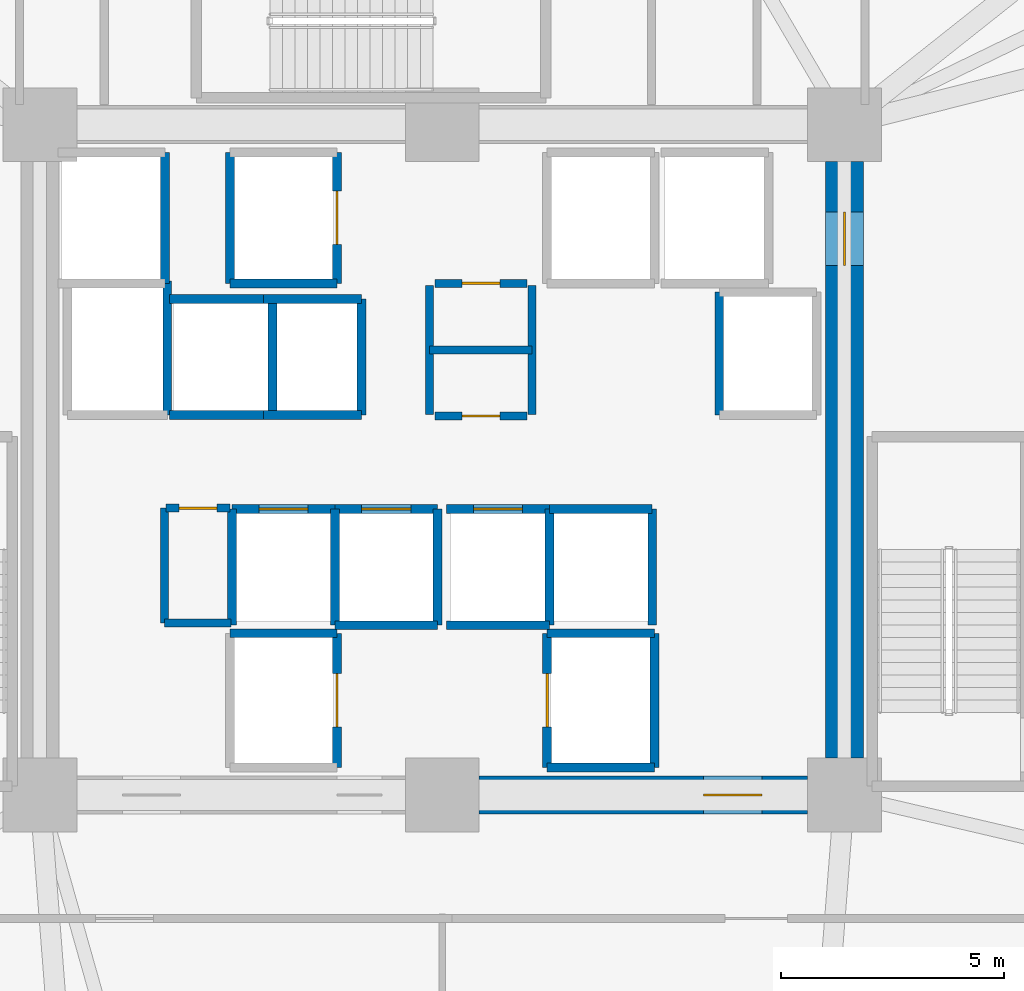
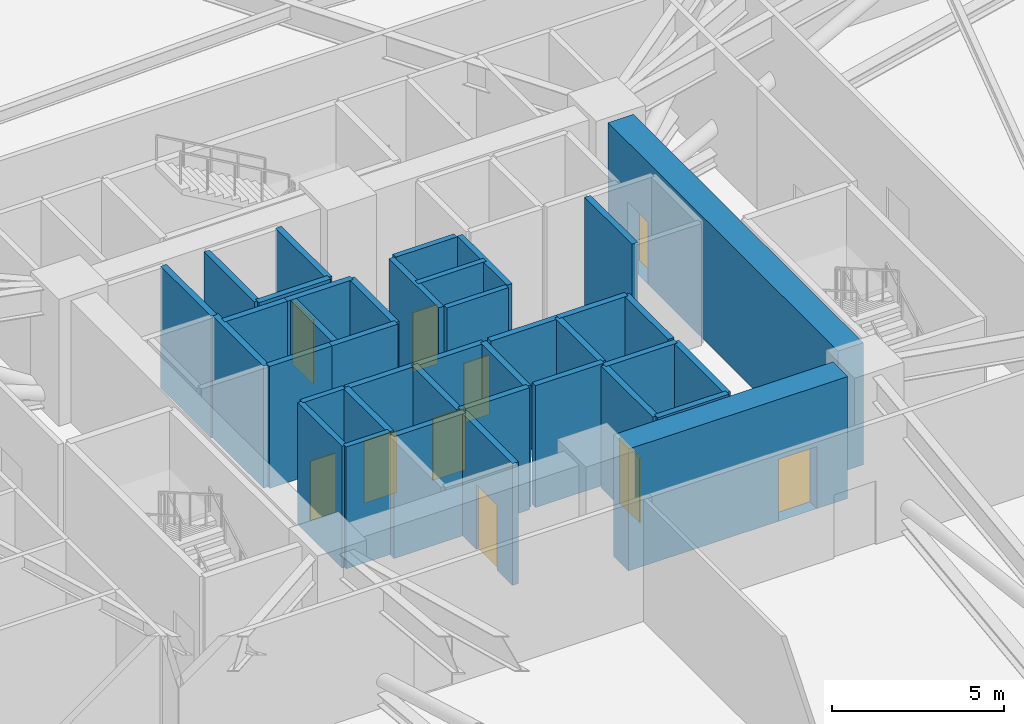
# One storey, part 18 of 25: 39 walls, 11 doors, 11 openings.
"""IFC4 building model written with IfcOpenShell, lengths in metres."""

from ifc_helpers import new_model, si_unit, direction, frame, frame_2d, origin, place, context, subcontext, project, spatial, rectangle, extrude, source, transform, mapped, material, layer, layer_set, type_object, element, fill, save


model = new_model("IFC4")

# Units and contexts
model_context = context("Model", 3, precision=1e-05, world=origin(), true_north=direction((0.0, 1.0)))
body_context = subcontext(model_context, "Body", "Model", "MODEL_VIEW")
ifc_project = project(units=[si_unit("LENGTHUNIT", "METRE"), si_unit("AREAUNIT", "SQUARE_METRE"), si_unit("VOLUMEUNIT", "CUBIC_METRE"), si_unit("PLANEANGLEUNIT", "RADIAN"), si_unit("MASSUNIT", "GRAM", prefix="KILO")], contexts=[model_context])

# Site, building, storey
site_placement = place(None, origin())
site = spatial("IfcSite", under=ifc_project, at=site_placement, CompositionType="ELEMENT")
building_placement = place(site_placement, origin())
building = spatial("IfcBuilding", under=site, at=building_placement, Name="Liaohun Quay Tower", CompositionType="ELEMENT")
storey_placement = place(building_placement, frame((0.0, 0.0, 47.25)))
storey = spatial("IfcBuildingStorey", under=building, at=storey_placement, Name="L12", CompositionType="ELEMENT", Elevation=47.25)

# Wall, opening, door
ifc_material_1 = material(Name="Concrete C60", Category="concrete")
ifc_layer_1 = layer(ifc_material_1, 0.85009765625, Name="Concrete C60", Category="concrete")
ifc_layer_set_1 = layer_set([ifc_layer_1], Name="Concrete C60")
wall_type_1 = type_object("IfcWallType", Name="WAL-COR-Z1", PredefinedType="SHEAR", material=ifc_layer_set_1)
wall_1_placement = place(storey_placement, frame((69.0, 60.675048828125, 0.0), z_axis=(0.0, 0.0, 1.0), x_axis=(0.0, -1.0, 0.0)))
wall_1 = element("IfcWall", 1, at=wall_1_placement, inside=storey, type_object=wall_type_1, Name="L12 Central Core Shear Wall E", PredefinedType="SHEAR", context=body_context, shape_type="SweptSolid", body=[
    extrude(rectangle(XDim=13.35009765625, YDim=0.85009765625, at=frame_2d((6.675048828125, 0.0))), origin(), (0.0, 0.0, 1.0), 4.320068359375),
])
shared_shape_1 = source(origin(), body_context, "Body", "SweptSolid", [
    extrude(rectangle(XDim=1.199951171875, YDim=2.199951171875, at=frame_2d((0.60009765625, 1.10009765625))), frame((0.0, 0.43505859375, 0.0), z_axis=(0.0, -1.0, 0.0), x_axis=(1.0, 0.0, 0.0)), (0.0, 0.0, 1.0), 0.8701171875),
])
opening_1_placement = place(wall_1_placement, frame((1.125, 0.0, 0.0)))
opening_1 = element("IfcOpeningElement", 2, at=opening_1_placement, cuts=wall_1, Name="Opening SD1", PredefinedType="OPENING", context=body_context, shape_type="MappedRepresentation", body=[
    mapped(shared_shape_1, transform((0.0, 0.0, 0.0), x_axis=(1.0, 0.0, 0.0), y_axis=(0.0, 1.0, 0.0), z_axis=(0.0, 0.0, 1.0), scale=1.0)),
])
ifc_material_2 = material(Name="Galvanised steel fire door", Category="steel")
door_type_1 = type_object("IfcDoorType", Name="DOR-STR-1200", OperationType="NOTDEFINED", PredefinedType="DOOR", material=ifc_material_2)
shared_shape_2 = source(origin(), body_context, "Body", "SweptSolid", [
    extrude(rectangle(XDim=1.199951171875, YDim=2.199951171875, at=frame_2d((0.60009765625, 1.10009765625))), frame((0.0, 0.02490234375, 0.0), z_axis=(0.0, -1.0, 0.0), x_axis=(1.0, 0.0, 0.0)), (0.0, 0.0, 1.0), 0.050048828125),
])
door_1_placement = place(opening_1_placement, origin())
door_1 = element("IfcDoor", 3, at=door_1_placement, inside=storey, type_object=door_type_1, Name="L12 North-East Core Lobby Smokeproof Door", OperationType="SINGLE_SWING_LEFT", OverallHeight=2.199951171875, OverallWidth=1.199951171875, PredefinedType="DOOR", context=body_context, shape_type="MappedRepresentation", body=[
    mapped(shared_shape_2, transform((0.0, 0.0, 0.0), x_axis=(1.0, 0.0, 0.0), y_axis=(0.0, 1.0, 0.0), z_axis=(0.0, 0.0, 1.0), scale=1.0)),
])
fill(opening_1, door_1)

wall_2_placement = place(storey_placement, frame((68.175048828125, 46.5, 0.0), z_axis=(0.0, 0.0, 1.0), x_axis=(-1.0, 0.0, 0.0)))
wall_2 = element("IfcWall", 4, at=wall_2_placement, inside=storey, type_object=wall_type_1, Name="L12 Central Core Shear Wall S-E", PredefinedType="SHEAR", context=body_context, shape_type="SweptSolid", body=[
    extrude(rectangle(XDim=7.35009765625, YDim=0.85009765625, at=frame_2d((3.675048828125, 0.0))), origin(), (0.0, 0.0, 1.0), 4.320068359375),
])
shared_shape_3 = source(origin(), body_context, "Body", "SweptSolid", [
    extrude(rectangle(XDim=1.300048828125, YDim=2.199951171875, at=frame_2d((0.64990234375, 1.10009765625))), frame((0.0, 0.43505859375, 0.0), z_axis=(0.0, -1.0, 0.0), x_axis=(1.0, 0.0, 0.0)), (0.0, 0.0, 1.0), 0.8701171875),
])
opening_2_placement = place(wall_2_placement, frame((1.02490234375, 0.0, 0.0)))
opening_2 = element("IfcOpeningElement", 5, at=opening_2_placement, cuts=wall_2, Name="Opening FD1", PredefinedType="OPENING", context=body_context, shape_type="MappedRepresentation", body=[
    mapped(shared_shape_3, transform((0.0, 0.0, 0.0), x_axis=(1.0, 0.0, 0.0), y_axis=(0.0, 1.0, 0.0), z_axis=(0.0, 0.0, 1.0), scale=1.0)),
])
ifc_material_3 = material(Name="Galvanised steel smokeproof fire door", Category="steel")
door_type_2 = type_object("IfcDoorType", Name="DOR-FFL-1300", OperationType="NOTDEFINED", PredefinedType="DOOR", material=ifc_material_3)
shared_shape_4 = source(origin(), body_context, "Body", "SweptSolid", [
    extrude(rectangle(XDim=1.300048828125, YDim=2.199951171875, at=frame_2d((0.64990234375, 1.10009765625))), frame((0.0, 0.02490234375, 0.0), z_axis=(0.0, -1.0, 0.0), x_axis=(1.0, 0.0, 0.0)), (0.0, 0.0, 1.0), 0.050048828125),
])
door_2_placement = place(opening_2_placement, origin())
door_2 = element("IfcDoor", 6, at=door_2_placement, inside=storey, type_object=door_type_2, Name="L12 East Core Lift Lobby Smokeproof Door", OperationType="SINGLE_SWING_LEFT", OverallHeight=2.199951171875, OverallWidth=1.300048828125, PredefinedType="DOOR", context=body_context, shape_type="MappedRepresentation", body=[
    mapped(shared_shape_4, transform((0.0, 0.0, 0.0), x_axis=(1.0, 0.0, 0.0), y_axis=(0.0, 1.0, 0.0), z_axis=(0.0, 0.0, 1.0), scale=1.0)),
])
fill(opening_2, door_2)

ifc_material_4 = material(Name="Autoclaved aerated concrete blockwork", Category="masonry")
ifc_layer_2 = layer(ifc_material_4, 0.179931640625, Name="Autoclaved aerated concrete blockwork", Category="masonry")
ifc_layer_set_2 = layer_set([ifc_layer_2], Name="Autoclaved aerated concrete blockwork")
wall_type_2 = type_object("IfcWallType", Name="WAL-PRT-COR", PredefinedType="PARTITIONING", material=ifc_layer_set_2)
wall_3_placement = place(storey_placement, frame((59.840087890625, 54.97998046875, 0.0), z_axis=(0.0, 0.0, 1.0), x_axis=(1.0, 0.0, 0.0)))
wall_3 = element("IfcWall", 7, at=wall_3_placement, inside=storey, type_object=wall_type_2, Name="L12 Interior Partition Wall 001", PredefinedType="PARTITIONING", context=body_context, shape_type="SweptSolid", body=[
    extrude(rectangle(XDim=2.059814453125, YDim=0.179931640625, at=frame_2d((1.02978515625, 0.0))), origin(), (0.0, 0.0, 1.0), 4.320068359375),
])
shared_shape_5 = source(origin(), body_context, "Body", "SweptSolid", [
    extrude(rectangle(XDim=0.85009765625, YDim=2.10009765625, at=frame_2d((0.425048828125, 1.050048828125))), frame((0.0, 0.099853515625, 0.0), z_axis=(0.0, -1.0, 0.0), x_axis=(1.0, 0.0, 0.0)), (0.0, 0.0, 1.0), 0.199951171875),
])
opening_3_placement = place(wall_3_placement, frame((0.60498046875, 0.0, 0.0)))
opening_3 = element("IfcOpeningElement", 8, at=opening_3_placement, cuts=wall_3, Name="Opening AD1", PredefinedType="OPENING", context=body_context, shape_type="MappedRepresentation", body=[
    mapped(shared_shape_5, transform((0.0, 0.0, 0.0), x_axis=(1.0, 0.0, 0.0), y_axis=(0.0, 1.0, 0.0), z_axis=(0.0, 0.0, 1.0), scale=1.0)),
])
ifc_material_5 = material(Name="Steel riser inspection fire door", Category="steel")
door_type_3 = type_object("IfcDoorType", Name="DOR-SHF-850", OperationType="NOTDEFINED", PredefinedType="DOOR", material=ifc_material_5)
shared_shape_6 = source(origin(), body_context, "Body", "SweptSolid", [
    extrude(rectangle(XDim=0.85009765625, YDim=2.10009765625, at=frame_2d((0.425048828125, 1.050048828125))), frame((0.0, 0.02490234375, 0.0), z_axis=(0.0, -1.0, 0.0), x_axis=(1.0, 0.0, 0.0)), (0.0, 0.0, 1.0), 0.050048828125),
])
door_3_placement = place(opening_3_placement, origin())
door_3 = element("IfcDoor", 9, at=door_3_placement, inside=storey, type_object=door_type_3, Name="L12 Electrical Riser Room Door", OperationType="SINGLE_SWING_RIGHT", OverallHeight=2.10009765625, OverallWidth=0.85009765625, PredefinedType="DOOR", context=body_context, shape_type="MappedRepresentation", body=[
    mapped(shared_shape_6, transform((0.0, 0.0, 0.0), x_axis=(1.0, 0.0, 0.0), y_axis=(0.0, 1.0, 0.0), z_axis=(0.0, 0.0, 1.0), scale=1.0)),
])
fill(opening_3, door_3)

wall_4_placement = place(storey_placement, frame((59.840087890625, 57.949951171875, 0.0), z_axis=(0.0, 0.0, 1.0), x_axis=(1.0, 0.0, 0.0)))
wall_4 = element("IfcWall", 10, at=wall_4_placement, inside=storey, type_object=wall_type_2, Name="L12 Interior Partition Wall 002", PredefinedType="PARTITIONING", context=body_context, shape_type="SweptSolid", body=[
    extrude(rectangle(XDim=2.059814453125, YDim=0.179931640625, at=frame_2d((1.02978515625, 0.0))), origin(), (0.0, 0.0, 1.0), 4.320068359375),
])
opening_4_placement = place(wall_4_placement, frame((0.60498046875, 0.0, 0.0)))
opening_4 = element("IfcOpeningElement", 11, at=opening_4_placement, cuts=wall_4, Name="Opening AD1", PredefinedType="OPENING", context=body_context, shape_type="MappedRepresentation", body=[
    mapped(shared_shape_5, transform((0.0, 0.0, 0.0), x_axis=(1.0, 0.0, 0.0), y_axis=(0.0, 1.0, 0.0), z_axis=(0.0, 0.0, 1.0), scale=1.0)),
])
door_4_placement = place(opening_4_placement, origin())
door_4 = element("IfcDoor", 12, at=door_4_placement, inside=storey, type_object=door_type_3, Name="L12 Telecom Comms Closet Door", OperationType="SINGLE_SWING_LEFT", OverallHeight=2.10009765625, OverallWidth=0.85009765625, PredefinedType="DOOR", context=body_context, shape_type="MappedRepresentation", body=[
    mapped(shared_shape_6, transform((0.0, 0.0, 0.0), x_axis=(1.0, 0.0, 0.0), y_axis=(0.0, 1.0, 0.0), z_axis=(0.0, 0.0, 1.0), scale=1.0)),
])
fill(opening_4, door_4)

wall_5_placement = place(storey_placement, frame((53.820068359375, 52.919921875, 0.0), z_axis=(0.0, 0.0, 1.0), x_axis=(1.0, 0.0, 0.0)))
wall_5 = element("IfcWall", 13, at=wall_5_placement, inside=storey, type_object=wall_type_2, Name="L12 Interior Partition Wall 003", PredefinedType="PARTITIONING", context=body_context, shape_type="SweptSolid", body=[
    extrude(rectangle(XDim=1.429931640625, YDim=0.179931640625, at=frame_2d((0.71484375, 0.0))), origin(), (0.0, 0.0, 1.0), 4.320068359375),
])
opening_5_placement = place(wall_5_placement, frame((0.2900390625, 0.0, 0.0)))
opening_5 = element("IfcOpeningElement", 14, at=opening_5_placement, cuts=wall_5, Name="Opening AD1", PredefinedType="OPENING", context=body_context, shape_type="MappedRepresentation", body=[
    mapped(shared_shape_5, transform((0.0, 0.0, 0.0), x_axis=(1.0, 0.0, 0.0), y_axis=(0.0, 1.0, 0.0), z_axis=(0.0, 0.0, 1.0), scale=1.0)),
])
door_5_placement = place(opening_5_placement, origin())
door_5 = element("IfcDoor", 15, at=door_5_placement, inside=storey, type_object=door_type_3, Name="L12 Core Fire Hose and Riser Closet Door", OperationType="SINGLE_SWING_RIGHT", OverallHeight=2.10009765625, OverallWidth=0.85009765625, PredefinedType="DOOR", context=body_context, shape_type="MappedRepresentation", body=[
    mapped(shared_shape_6, transform((0.0, 0.0, 0.0), x_axis=(1.0, 0.0, 0.0), y_axis=(0.0, 1.0, 0.0), z_axis=(0.0, 0.0, 1.0), scale=1.0)),
])
fill(opening_5, door_5)

# Walls
for number, where, z_axis, x_axis, name in (
    (16, (59.719970703125, 55.02001953125, 0.0), (0.0, 0.0, 1.0), (0.0, 1.0, 0.0), "L12 Interior Partition Wall 019"),
    (17, (62.010009765625, 55.02001953125, 0.0), (0.0, 0.0, 1.0), (0.0, 1.0, 0.0), "L12 Interior Partition Wall 020"),
):
    element("IfcWall", number, at=place(storey_placement, frame(where, z_axis=z_axis, x_axis=x_axis)), inside=storey, type_object=wall_type_2, Name=name, PredefinedType="PARTITIONING", context=body_context, shape_type="SweptSolid", body=[
        extrude(rectangle(XDim=2.8798828125, YDim=0.179931640625, at=frame_2d((1.43994140625, 0.0))), origin(), (0.0, 0.0, 1.0), 4.320068359375),
    ])
wall_6_placement = place(storey_placement, frame((59.719970703125, 56.4599609375, 0.0), z_axis=(0.0, 0.0, 1.0), x_axis=(1.0, 0.0, 0.0)))
element("IfcWall", 18, at=wall_6_placement, inside=storey, type_object=wall_type_2, Name="L12 Interior Partition Wall 021", PredefinedType="PARTITIONING", context=body_context, shape_type="SweptSolid", body=[
    extrude(rectangle(XDim=2.2900390625, YDim=0.179931640625, at=frame_2d((1.14501953125, 0.0))), origin(), (0.0, 0.0, 1.0), 4.320068359375),
])
wall_7_placement = place(storey_placement, frame((53.7900390625, 50.35009765625, 0.0), z_axis=(0.0, 0.0, 1.0), x_axis=(0.0, 1.0, 0.0)))
element("IfcWall", 19, at=wall_7_placement, inside=storey, type_object=wall_type_2, Name="L12 Interior Partition Wall 022", PredefinedType="PARTITIONING", context=body_context, shape_type="SweptSolid", body=[
    extrude(rectangle(XDim=2.56982421875, YDim=0.179931640625, at=frame_2d((1.284912109375, 0.0))), origin(), (0.0, 0.0, 1.0), 4.320068359375),
])
wall_8_placement = place(storey_placement, frame((53.7900390625, 50.35009765625, 0.0), z_axis=(0.0, 0.0, 1.0), x_axis=(1.0, 0.0, 0.0)))
element("IfcWall", 20, at=wall_8_placement, inside=storey, type_object=wall_type_2, Name="L12 Interior Partition Wall 023", PredefinedType="PARTITIONING", context=body_context, shape_type="SweptSolid", body=[
    extrude(rectangle(XDim=1.489990234375, YDim=0.179931640625, at=frame_2d((0.7451171875, 0.0))), origin(), (0.0, 0.0, 1.0), 4.320068359375),
])

# Wall, opening, door
ifc_material_6 = material(Name="Concrete C50", Category="concrete")
ifc_layer_3 = layer(ifc_material_6, 0.239990234375, Name="Concrete C50", Category="concrete")
ifc_layer_set_3 = layer_set([ifc_layer_3], Name="Concrete C50")
wall_type_3 = type_object("IfcWallType", Name="WAL-SHF-200", PredefinedType="SOLIDWALL", material=ifc_layer_set_3)
wall_9_placement = place(storey_placement, frame((57.64990234375, 47.1201171875, 0.0), z_axis=(0.0, 0.0, 1.0), x_axis=(0.0, 1.0, 0.0)))
wall_9 = element("IfcWall", 21, at=wall_9_placement, inside=storey, type_object=wall_type_3, Name="L12 Lift FF-01 Hoistway Wall E", PredefinedType="SOLIDWALL", context=body_context, shape_type="SweptSolid", body=[
    extrude(rectangle(XDim=3.0, YDim=0.199951171875, at=frame_2d((1.5, 0.0))), origin(), (0.0, 0.0, 1.0), 4.320068359375),
])
shared_shape_7 = source(origin(), body_context, "Body", "SweptSolid", [
    extrude(rectangle(XDim=1.199951171875, YDim=2.300048828125, at=frame_2d((0.60009765625, 1.14990234375))), frame((0.0, 0.10986328125, 0.0), z_axis=(0.0, -1.0, 0.0), x_axis=(1.0, 0.0, 0.0)), (0.0, 0.0, 1.0), 0.219970703125),
])
opening_6_placement = place(wall_9_placement, frame((0.89990234375, 0.0, 0.0)))
opening_6 = element("IfcOpeningElement", 22, at=opening_6_placement, cuts=wall_9, Name="Opening LD2", PredefinedType="OPENING", context=body_context, shape_type="MappedRepresentation", body=[
    mapped(shared_shape_7, transform((0.0, 0.0, 0.0), x_axis=(1.0, 0.0, 0.0), y_axis=(0.0, 1.0, 0.0), z_axis=(0.0, 0.0, 1.0), scale=1.0)),
])
ifc_material_7 = material(Name="Brushed stainless steel stretcher landing door", Category="steel")
door_type_4 = type_object("IfcDoorType", Name="DOR-LFT-1200", OperationType="SLIDING_TO_LEFT", PredefinedType="DOOR", material=ifc_material_7)
shared_shape_8 = source(origin(), body_context, "Body", "SweptSolid", [
    extrude(rectangle(XDim=1.199951171875, YDim=2.300048828125, at=frame_2d((0.60009765625, 1.14990234375))), frame((0.0, 0.02490234375, 0.0), z_axis=(0.0, -1.0, 0.0), x_axis=(1.0, 0.0, 0.0)), (0.0, 0.0, 1.0), 0.050048828125),
])
door_6_placement = place(opening_6_placement, origin())
door_6 = element("IfcDoor", 23, at=door_6_placement, inside=storey, type_object=door_type_4, Name="L12 Lift FF-01 Sliding Landing Door", OperationType="SLIDING_TO_LEFT", OverallHeight=2.300048828125, OverallWidth=1.199951171875, PredefinedType="DOOR", context=body_context, shape_type="MappedRepresentation", body=[
    mapped(shared_shape_8, transform((0.0, 0.0, 0.0), x_axis=(1.0, 0.0, 0.0), y_axis=(0.0, 1.0, 0.0), z_axis=(0.0, 0.0, 1.0), scale=1.0)),
])
fill(opening_6, door_6)

# Walls
for number, where, z_axis, x_axis, name in (
    (24, (57.64990234375, 50.1201171875, 0.0), (0.0, 0.0, 1.0), (-1.0, 0.0, 0.0), "L12 Lift FF-01 Hoistway Wall N"),
    (25, (62.35009765625, 47.1201171875, 0.0), (0.0, 0.0, 1.0), (1.0, 0.0, 0.0), "L12 Lift FF-02 Hoistway Wall S"),
):
    element("IfcWall", number, at=place(storey_placement, frame(where, z_axis=z_axis, x_axis=x_axis)), inside=storey, type_object=wall_type_3, Name=name, PredefinedType="SOLIDWALL", context=body_context, shape_type="SweptSolid", body=[
        extrude(rectangle(XDim=2.39990234375, YDim=0.199951171875, at=frame_2d((1.199951171875, 0.0))), origin(), (0.0, 0.0, 1.0), 4.320068359375),
    ])
wall_10_placement = place(storey_placement, frame((64.75, 47.1201171875, 0.0), z_axis=(0.0, 0.0, 1.0), x_axis=(0.0, 1.0, 0.0)))
element("IfcWall", 26, at=wall_10_placement, inside=storey, type_object=wall_type_3, Name="L12 Lift FF-02 Hoistway Wall E", PredefinedType="SOLIDWALL", context=body_context, shape_type="SweptSolid", body=[
    extrude(rectangle(XDim=3.0, YDim=0.199951171875, at=frame_2d((1.5, 0.0))), origin(), (0.0, 0.0, 1.0), 4.320068359375),
])
wall_11_placement = place(storey_placement, frame((64.75, 50.1201171875, 0.0), z_axis=(0.0, 0.0, 1.0), x_axis=(-1.0, 0.0, 0.0)))
element("IfcWall", 27, at=wall_11_placement, inside=storey, type_object=wall_type_3, Name="L12 Lift FF-02 Hoistway Wall N", PredefinedType="SOLIDWALL", context=body_context, shape_type="SweptSolid", body=[
    extrude(rectangle(XDim=2.39990234375, YDim=0.199951171875, at=frame_2d((1.199951171875, 0.0))), origin(), (0.0, 0.0, 1.0), 4.320068359375),
])

# Wall, opening, door
wall_12_placement = place(storey_placement, frame((62.35009765625, 50.1201171875, 0.0), z_axis=(0.0, 0.0, 1.0), x_axis=(0.0, -1.0, 0.0)))
wall_12 = element("IfcWall", 28, at=wall_12_placement, inside=storey, type_object=wall_type_3, Name="L12 Lift FF-02 Hoistway Wall W", PredefinedType="SOLIDWALL", context=body_context, shape_type="SweptSolid", body=[
    extrude(rectangle(XDim=3.0, YDim=0.199951171875, at=frame_2d((1.5, 0.0))), origin(), (0.0, 0.0, 1.0), 4.320068359375),
])
opening_7_placement = place(wall_12_placement, frame((0.89990234375, 0.0, 0.0)))
opening_7 = element("IfcOpeningElement", 29, at=opening_7_placement, cuts=wall_12, Name="Opening LD2", PredefinedType="OPENING", context=body_context, shape_type="MappedRepresentation", body=[
    mapped(shared_shape_7, transform((0.0, 0.0, 0.0), x_axis=(1.0, 0.0, 0.0), y_axis=(0.0, 1.0, 0.0), z_axis=(0.0, 0.0, 1.0), scale=1.0)),
])
door_7_placement = place(opening_7_placement, origin())
door_7 = element("IfcDoor", 30, at=door_7_placement, inside=storey, type_object=door_type_4, Name="L12 Lift FF-02 Sliding Landing Door", OperationType="SLIDING_TO_LEFT", OverallHeight=2.300048828125, OverallWidth=1.199951171875, PredefinedType="DOOR", context=body_context, shape_type="MappedRepresentation", body=[
    mapped(shared_shape_8, transform((0.0, 0.0, 0.0), x_axis=(1.0, 0.0, 0.0), y_axis=(0.0, 1.0, 0.0), z_axis=(0.0, 0.0, 1.0), scale=1.0)),
])
fill(opening_7, door_7)

# Wall
wall_13_placement = place(storey_placement, frame((55.25, 57.949951171875, 0.0), z_axis=(0.0, 0.0, 1.0), x_axis=(1.0, 0.0, 0.0)))
element("IfcWall", 31, at=wall_13_placement, inside=storey, type_object=wall_type_3, Name="L12 Lift FF-03 Hoistway Wall S", PredefinedType="SOLIDWALL", context=body_context, shape_type="SweptSolid", body=[
    extrude(rectangle(XDim=2.39990234375, YDim=0.199951171875, at=frame_2d((1.199951171875, 0.0))), origin(), (0.0, 0.0, 1.0), 4.320068359375),
])

# Wall, opening, door
wall_14_placement = place(storey_placement, frame((57.64990234375, 57.949951171875, 0.0), z_axis=(0.0, 0.0, 1.0), x_axis=(0.0, 1.0, 0.0)))
wall_14 = element("IfcWall", 32, at=wall_14_placement, inside=storey, type_object=wall_type_3, Name="L12 Lift FF-03 Hoistway Wall E", PredefinedType="SOLIDWALL", context=body_context, shape_type="SweptSolid", body=[
    extrude(rectangle(XDim=2.929931640625, YDim=0.199951171875, at=frame_2d((1.46484375, 0.0))), origin(), (0.0, 0.0, 1.0), 4.320068359375),
])
opening_8_placement = place(wall_14_placement, frame((0.864990234375, 0.0, 0.0)))
opening_8 = element("IfcOpeningElement", 33, at=opening_8_placement, cuts=wall_14, Name="Opening LD2", PredefinedType="OPENING", context=body_context, shape_type="MappedRepresentation", body=[
    mapped(shared_shape_7, transform((0.0, 0.0, 0.0), x_axis=(1.0, 0.0, 0.0), y_axis=(0.0, 1.0, 0.0), z_axis=(0.0, 0.0, 1.0), scale=1.0)),
])
door_8_placement = place(opening_8_placement, origin())
door_8 = element("IfcDoor", 34, at=door_8_placement, inside=storey, type_object=door_type_4, Name="L12 Lift FF-03 Sliding Landing Door", OperationType="SLIDING_TO_LEFT", OverallHeight=2.300048828125, OverallWidth=1.199951171875, PredefinedType="DOOR", context=body_context, shape_type="MappedRepresentation", body=[
    mapped(shared_shape_8, transform((0.0, 0.0, 0.0), x_axis=(1.0, 0.0, 0.0), y_axis=(0.0, 1.0, 0.0), z_axis=(0.0, 0.0, 1.0), scale=1.0)),
])
fill(opening_8, door_8)

# Walls
for number, where, z_axis, x_axis, name in (
    (35, (55.25, 60.8798828125, 0.0), (0.0, 0.0, 1.0), (0.0, -1.0, 0.0), "L12 Lift FF-03 Hoistway Wall W"),
    (36, (53.800048828125, 57.949951171875, 0.0), (0.0, 0.0, 1.0), (0.0, 1.0, 0.0), "L12 Lift SH-01 Hoistway Wall E"),
):
    element("IfcWall", number, at=place(storey_placement, frame(where, z_axis=z_axis, x_axis=x_axis)), inside=storey, type_object=wall_type_3, Name=name, PredefinedType="SOLIDWALL", context=body_context, shape_type="SweptSolid", body=[
        extrude(rectangle(XDim=2.929931640625, YDim=0.199951171875, at=frame_2d((1.46484375, 0.0))), origin(), (0.0, 0.0, 1.0), 4.320068359375),
    ])
wall_15_placement = place(storey_placement, frame((53.85009765625, 55.0, 0.0), z_axis=(0.0, 0.0, 1.0), x_axis=(0.0, 1.0, 0.0)))
element("IfcWall", 37, at=wall_15_placement, inside=storey, type_object=wall_type_3, Name="L12 Lift SH-02 Hoistway Wall E", PredefinedType="SOLIDWALL", context=body_context, shape_type="SweptSolid", body=[
    extrude(rectangle(XDim=3.0, YDim=0.199951171875, at=frame_2d((1.5, 0.0))), origin(), (0.0, 0.0, 1.0), 4.320068359375),
])
wall_16_placement = place(storey_placement, frame((66.199951171875, 57.75, 0.0), z_axis=(0.0, 0.0, 1.0), x_axis=(0.0, -1.0, 0.0)))
element("IfcWall", 38, at=wall_16_placement, inside=storey, type_object=wall_type_3, Name="L12 Lift SH-03 Hoistway Wall W", PredefinedType="SOLIDWALL", context=body_context, shape_type="SweptSolid", body=[
    extrude(rectangle(XDim=2.75, YDim=0.199951171875, at=frame_2d((1.375, 0.0))), origin(), (0.0, 0.0, 1.0), 4.320068359375),
])
wall_17_placement = place(storey_placement, frame((57.60009765625, 50.300048828125, 0.0), z_axis=(0.0, 0.0, 1.0), x_axis=(0.0, 1.0, 0.0)))
element("IfcWall", 39, at=wall_17_placement, inside=storey, type_object=wall_type_3, Name="L12 Lift PL-1A Hoistway Wall E", PredefinedType="SOLIDWALL", context=body_context, shape_type="SweptSolid", body=[
    extrude(rectangle(XDim=2.599853515625, YDim=0.199951171875, at=frame_2d((1.2998046875, 0.0))), origin(), (0.0, 0.0, 1.0), 4.320068359375),
])

# Wall, opening, door
wall_18_placement = place(storey_placement, frame((57.60009765625, 52.89990234375, 0.0), z_axis=(0.0, 0.0, 1.0), x_axis=(-1.0, 0.0, 0.0)))
wall_18 = element("IfcWall", 40, at=wall_18_placement, inside=storey, type_object=wall_type_3, Name="L12 Lift PL-1A Hoistway Wall N", PredefinedType="SOLIDWALL", context=body_context, shape_type="SweptSolid", body=[
    extrude(rectangle(XDim=2.300048828125, YDim=0.199951171875, at=frame_2d((1.14990234375, 0.0))), origin(), (0.0, 0.0, 1.0), 4.320068359375),
])
shared_shape_9 = source(origin(), body_context, "Body", "SweptSolid", [
    extrude(rectangle(XDim=1.10009765625, YDim=2.199951171875, at=frame_2d((0.550048828125, 1.10009765625))), frame((0.0, 0.10986328125, 0.0), z_axis=(0.0, -1.0, 0.0), x_axis=(1.0, 0.0, 0.0)), (0.0, 0.0, 1.0), 0.219970703125),
])
opening_9_placement = place(wall_18_placement, frame((0.60009765625, 0.0, 0.0)))
opening_9 = element("IfcOpeningElement", 41, at=opening_9_placement, cuts=wall_18, Name="Opening LD1", PredefinedType="OPENING", context=body_context, shape_type="MappedRepresentation", body=[
    mapped(shared_shape_9, transform((0.0, 0.0, 0.0), x_axis=(1.0, 0.0, 0.0), y_axis=(0.0, 1.0, 0.0), z_axis=(0.0, 0.0, 1.0), scale=1.0)),
])
ifc_material_8 = material(Name="Brushed stainless steel landing door", Category="steel")
door_type_5 = type_object("IfcDoorType", Name="DOR-LFT-1100", OperationType="SLIDING_TO_LEFT", PredefinedType="DOOR", material=ifc_material_8)
shared_shape_10 = source(origin(), body_context, "Body", "SweptSolid", [
    extrude(rectangle(XDim=1.10009765625, YDim=2.199951171875, at=frame_2d((0.550048828125, 1.10009765625))), frame((0.0, 0.02490234375, 0.0), z_axis=(0.0, -1.0, 0.0), x_axis=(1.0, 0.0, 0.0)), (0.0, 0.0, 1.0), 0.050048828125),
])
door_9_placement = place(opening_9_placement, origin())
door_9 = element("IfcDoor", 42, at=door_9_placement, inside=storey, type_object=door_type_5, Name="L12 Lift PL-1A Sliding Landing Door", OperationType="SLIDING_TO_LEFT", OverallHeight=2.199951171875, OverallWidth=1.10009765625, PredefinedType="DOOR", context=body_context, shape_type="MappedRepresentation", body=[
    mapped(shared_shape_10, transform((0.0, 0.0, 0.0), x_axis=(1.0, 0.0, 0.0), y_axis=(0.0, 1.0, 0.0), z_axis=(0.0, 0.0, 1.0), scale=1.0)),
])
fill(opening_9, door_9)

# Walls
wall_19_placement = place(storey_placement, frame((55.300048828125, 52.89990234375, 0.0), z_axis=(0.0, 0.0, 1.0), x_axis=(0.0, -1.0, 0.0)))
element("IfcWall", 43, at=wall_19_placement, inside=storey, type_object=wall_type_3, Name="L12 Lift PL-1A Hoistway Wall W", PredefinedType="SOLIDWALL", context=body_context, shape_type="SweptSolid", body=[
    extrude(rectangle(XDim=2.599853515625, YDim=0.199951171875, at=frame_2d((1.2998046875, 0.0))), origin(), (0.0, 0.0, 1.0), 4.320068359375),
])
wall_20_placement = place(storey_placement, frame((57.60009765625, 50.300048828125, 0.0), z_axis=(0.0, 0.0, 1.0), x_axis=(1.0, 0.0, 0.0)))
element("IfcWall", 44, at=wall_20_placement, inside=storey, type_object=wall_type_3, Name="L12 Lift PL-1B Hoistway Wall S", PredefinedType="SOLIDWALL", context=body_context, shape_type="SweptSolid", body=[
    extrude(rectangle(XDim=2.2998046875, YDim=0.199951171875, at=frame_2d((1.14990234375, 0.0))), origin(), (0.0, 0.0, 1.0), 4.320068359375),
])
wall_21_placement = place(storey_placement, frame((59.89990234375, 50.300048828125, 0.0), z_axis=(0.0, 0.0, 1.0), x_axis=(0.0, 1.0, 0.0)))
element("IfcWall", 45, at=wall_21_placement, inside=storey, type_object=wall_type_3, Name="L12 Lift PL-1B Hoistway Wall E", PredefinedType="SOLIDWALL", context=body_context, shape_type="SweptSolid", body=[
    extrude(rectangle(XDim=2.599853515625, YDim=0.199951171875, at=frame_2d((1.2998046875, 0.0))), origin(), (0.0, 0.0, 1.0), 4.320068359375),
])

# Wall, opening, door
wall_22_placement = place(storey_placement, frame((59.89990234375, 52.89990234375, 0.0), z_axis=(0.0, 0.0, 1.0), x_axis=(-1.0, 0.0, 0.0)))
wall_22 = element("IfcWall", 46, at=wall_22_placement, inside=storey, type_object=wall_type_3, Name="L12 Lift PL-1B Hoistway Wall N", PredefinedType="SOLIDWALL", context=body_context, shape_type="SweptSolid", body=[
    extrude(rectangle(XDim=2.2998046875, YDim=0.199951171875, at=frame_2d((1.14990234375, 0.0))), origin(), (0.0, 0.0, 1.0), 4.320068359375),
])
opening_10_placement = place(wall_22_placement, frame((0.60009765625, 0.0, 0.0)))
opening_10 = element("IfcOpeningElement", 47, at=opening_10_placement, cuts=wall_22, Name="Opening LD1", PredefinedType="OPENING", context=body_context, shape_type="MappedRepresentation", body=[
    mapped(shared_shape_9, transform((0.0, 0.0, 0.0), x_axis=(1.0, 0.0, 0.0), y_axis=(0.0, 1.0, 0.0), z_axis=(0.0, 0.0, 1.0), scale=1.0)),
])
door_10_placement = place(opening_10_placement, origin())
door_10 = element("IfcDoor", 48, at=door_10_placement, inside=storey, type_object=door_type_5, Name="L12 Lift PL-1B Sliding Landing Door", OperationType="SLIDING_TO_LEFT", OverallHeight=2.199951171875, OverallWidth=1.10009765625, PredefinedType="DOOR", context=body_context, shape_type="MappedRepresentation", body=[
    mapped(shared_shape_10, transform((0.0, 0.0, 0.0), x_axis=(1.0, 0.0, 0.0), y_axis=(0.0, 1.0, 0.0), z_axis=(0.0, 0.0, 1.0), scale=1.0)),
])
fill(opening_10, door_10)

# Walls
wall_23_placement = place(storey_placement, frame((60.10009765625, 50.300048828125, 0.0), z_axis=(0.0, 0.0, 1.0), x_axis=(1.0, 0.0, 0.0)))
element("IfcWall", 49, at=wall_23_placement, inside=storey, type_object=wall_type_3, Name="L12 Lift PL-1C Hoistway Wall S", PredefinedType="SOLIDWALL", context=body_context, shape_type="SweptSolid", body=[
    extrude(rectangle(XDim=2.2998046875, YDim=0.199951171875, at=frame_2d((1.14990234375, 0.0))), origin(), (0.0, 0.0, 1.0), 4.320068359375),
])
wall_24_placement = place(storey_placement, frame((62.39990234375, 50.300048828125, 0.0), z_axis=(0.0, 0.0, 1.0), x_axis=(0.0, 1.0, 0.0)))
element("IfcWall", 50, at=wall_24_placement, inside=storey, type_object=wall_type_3, Name="L12 Lift PL-1C Hoistway Wall E", PredefinedType="SOLIDWALL", context=body_context, shape_type="SweptSolid", body=[
    extrude(rectangle(XDim=2.599853515625, YDim=0.199951171875, at=frame_2d((1.2998046875, 0.0))), origin(), (0.0, 0.0, 1.0), 4.320068359375),
])

# Wall, opening, door
wall_25_placement = place(storey_placement, frame((62.39990234375, 52.89990234375, 0.0), z_axis=(0.0, 0.0, 1.0), x_axis=(-1.0, 0.0, 0.0)))
wall_25 = element("IfcWall", 51, at=wall_25_placement, inside=storey, type_object=wall_type_3, Name="L12 Lift PL-1C Hoistway Wall N", PredefinedType="SOLIDWALL", context=body_context, shape_type="SweptSolid", body=[
    extrude(rectangle(XDim=2.2998046875, YDim=0.199951171875, at=frame_2d((1.14990234375, 0.0))), origin(), (0.0, 0.0, 1.0), 4.320068359375),
])
opening_11_placement = place(wall_25_placement, frame((0.60009765625, 0.0, 0.0)))
opening_11 = element("IfcOpeningElement", 52, at=opening_11_placement, cuts=wall_25, Name="Opening LD1", PredefinedType="OPENING", context=body_context, shape_type="MappedRepresentation", body=[
    mapped(shared_shape_9, transform((0.0, 0.0, 0.0), x_axis=(1.0, 0.0, 0.0), y_axis=(0.0, 1.0, 0.0), z_axis=(0.0, 0.0, 1.0), scale=1.0)),
])
door_11_placement = place(opening_11_placement, origin())
door_11 = element("IfcDoor", 53, at=door_11_placement, inside=storey, type_object=door_type_5, Name="L12 Lift PL-1C Sliding Landing Door", OperationType="SLIDING_TO_LEFT", OverallHeight=2.199951171875, OverallWidth=1.10009765625, PredefinedType="DOOR", context=body_context, shape_type="MappedRepresentation", body=[
    mapped(shared_shape_10, transform((0.0, 0.0, 0.0), x_axis=(1.0, 0.0, 0.0), y_axis=(0.0, 1.0, 0.0), z_axis=(0.0, 0.0, 1.0), scale=1.0)),
])
fill(opening_11, door_11)

# Walls
wall_26_placement = place(storey_placement, frame((64.699951171875, 50.300048828125, 0.0), z_axis=(0.0, 0.0, 1.0), x_axis=(0.0, 1.0, 0.0)))
element("IfcWall", 54, at=wall_26_placement, inside=storey, type_object=wall_type_3, Name="L12 Lift PL-2A Hoistway Wall E", PredefinedType="SOLIDWALL", context=body_context, shape_type="SweptSolid", body=[
    extrude(rectangle(XDim=2.599853515625, YDim=0.199951171875, at=frame_2d((1.2998046875, 0.0))), origin(), (0.0, 0.0, 1.0), 4.320068359375),
])
for number, where, z_axis, x_axis, name in (
    (55, (64.699951171875, 52.89990234375, 0.0), (0.0, 0.0, 1.0), (-1.0, 0.0, 0.0), "L12 Lift PL-2A Hoistway Wall N"),
    (56, (53.89990234375, 55.0, 0.0), (0.0, 0.0, 1.0), (1.0, 0.0, 0.0), "L12 Lift PL-2B Hoistway Wall S"),
):
    element("IfcWall", number, at=place(storey_placement, frame(where, z_axis=z_axis, x_axis=x_axis)), inside=storey, type_object=wall_type_3, Name=name, PredefinedType="SOLIDWALL", context=body_context, shape_type="SweptSolid", body=[
        extrude(rectangle(XDim=2.300048828125, YDim=0.199951171875, at=frame_2d((1.14990234375, 0.0))), origin(), (0.0, 0.0, 1.0), 4.320068359375),
    ])
wall_27_placement = place(storey_placement, frame((56.199951171875, 55.0, 0.0), z_axis=(0.0, 0.0, 1.0), x_axis=(0.0, 1.0, 0.0)))
element("IfcWall", 57, at=wall_27_placement, inside=storey, type_object=wall_type_3, Name="L12 Lift PL-2B Hoistway Wall E", PredefinedType="SOLIDWALL", context=body_context, shape_type="SweptSolid", body=[
    extrude(rectangle(XDim=2.60009765625, YDim=0.199951171875, at=frame_2d((1.300048828125, 0.0))), origin(), (0.0, 0.0, 1.0), 4.320068359375),
])
wall_28_placement = place(storey_placement, frame((56.199951171875, 57.60009765625, 0.0), z_axis=(0.0, 0.0, 1.0), x_axis=(-1.0, 0.0, 0.0)))
element("IfcWall", 58, at=wall_28_placement, inside=storey, type_object=wall_type_3, Name="L12 Lift PL-2B Hoistway Wall N", PredefinedType="SOLIDWALL", context=body_context, shape_type="SweptSolid", body=[
    extrude(rectangle(XDim=2.300048828125, YDim=0.199951171875, at=frame_2d((1.14990234375, 0.0))), origin(), (0.0, 0.0, 1.0), 4.320068359375),
])
wall_29_placement = place(storey_placement, frame((56.0, 55.0, 0.0), z_axis=(0.0, 0.0, 1.0), x_axis=(1.0, 0.0, 0.0)))
element("IfcWall", 59, at=wall_29_placement, inside=storey, type_object=wall_type_3, Name="L12 Lift PL-2C Hoistway Wall S", PredefinedType="SOLIDWALL", context=body_context, shape_type="SweptSolid", body=[
    extrude(rectangle(XDim=2.199951171875, YDim=0.199951171875, at=frame_2d((1.10009765625, 0.0))), origin(), (0.0, 0.0, 1.0), 4.320068359375),
])
wall_30_placement = place(storey_placement, frame((58.199951171875, 55.0, 0.0), z_axis=(0.0, 0.0, 1.0), x_axis=(0.0, 1.0, 0.0)))
element("IfcWall", 60, at=wall_30_placement, inside=storey, type_object=wall_type_3, Name="L12 Lift PL-2C Hoistway Wall E", PredefinedType="SOLIDWALL", context=body_context, shape_type="SweptSolid", body=[
    extrude(rectangle(XDim=2.60009765625, YDim=0.199951171875, at=frame_2d((1.300048828125, 0.0))), origin(), (0.0, 0.0, 1.0), 4.320068359375),
])
wall_31_placement = place(storey_placement, frame((58.199951171875, 57.60009765625, 0.0), z_axis=(0.0, 0.0, 1.0), x_axis=(-1.0, 0.0, 0.0)))
element("IfcWall", 61, at=wall_31_placement, inside=storey, type_object=wall_type_3, Name="L12 Lift PL-2C Hoistway Wall N", PredefinedType="SOLIDWALL", context=body_context, shape_type="SweptSolid", body=[
    extrude(rectangle(XDim=2.199951171875, YDim=0.199951171875, at=frame_2d((1.10009765625, 0.0))), origin(), (0.0, 0.0, 1.0), 4.320068359375),
])

save(model, "model.ifc")
